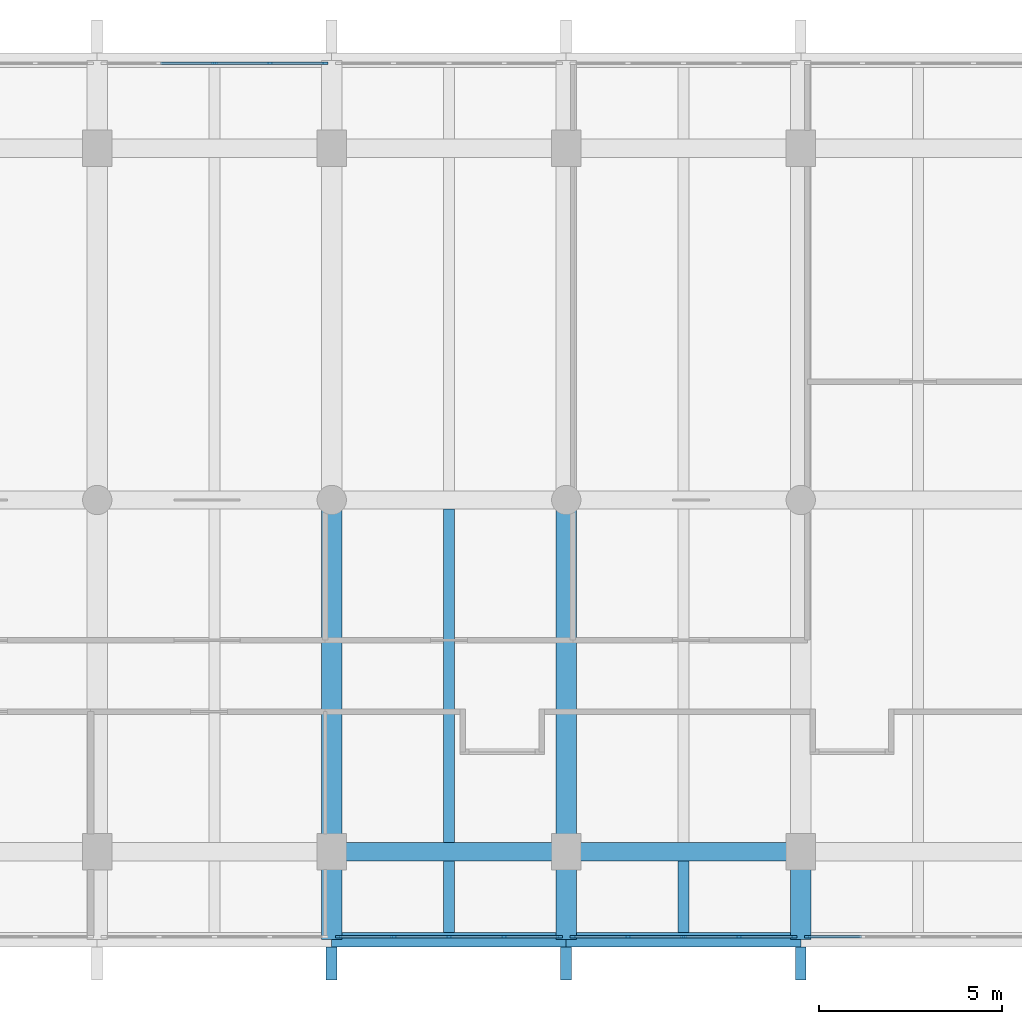
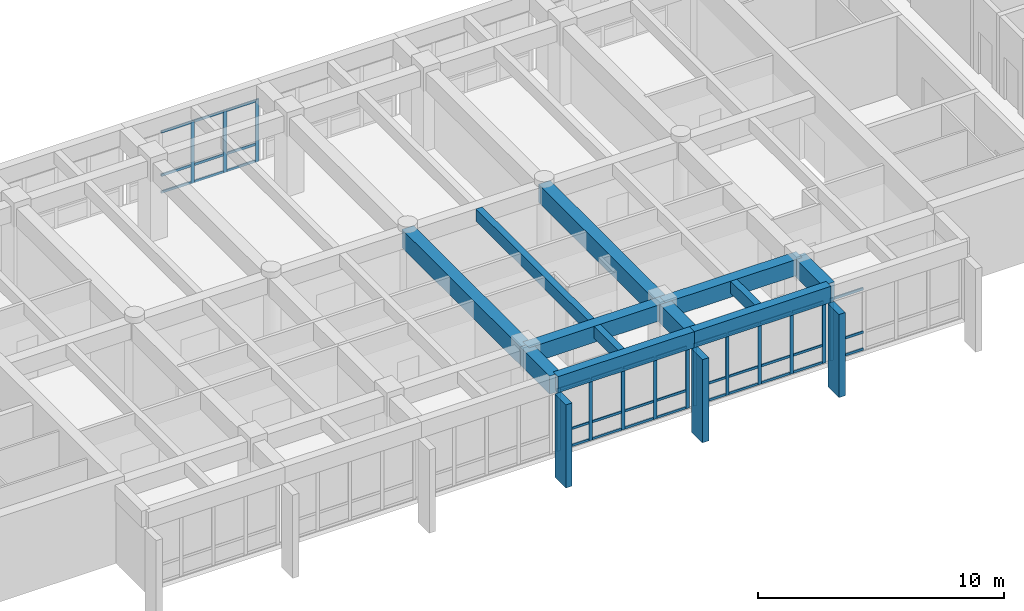
# One storey, part 4 of 15: 53 members, 12 beams, 4 elements without a shape of their own.
"""IFC4 building model written with IfcOpenShell, lengths in metres."""

import ifcopenshell
import ifcopenshell.guid

model = None  # the IFC model being written
_history = None  # IfcOwnerHistory: only IFC2X3 demands one
_inside = {}  # id of a spatial element -> (the spatial element, [elements in it])
_under = {}  # id of a project, library or spatial element -> (it, [spatial elements below it])
_declared = {}  # id of a project -> (the project, [libraries it declares])
_typed = {}  # id of a type object -> (the type object, [elements of that type])
_made_of = {}  # id of a material, layer set ... -> (it, [elements and type objects made of it])


def new_model(schema):
    """Start an empty IFC model of exactly this schema.

    Asked for "IFC4X3", IfcOpenShell would pick the latest addendum, in which some entities
    have other attributes; the version numbers below select the first issue.
    IFC2X3 requires an IfcOwnerHistory on every rooted entity: one is made here for all.
    """
    global model, _history
    if schema == "IFC4X3":
        model = ifcopenshell.file(schema_version=(4, 3, 0, 0))
    else:
        model = ifcopenshell.file(schema=schema)
    _inside.clear()
    _under.clear()
    _declared.clear()
    _typed.clear()
    _made_of.clear()
    _history = None
    if model.schema == "IFC2X3":
        org = make("IfcOrganization", Name="unknown")
        user = make(
            "IfcPersonAndOrganization",
            ThePerson=make("IfcPerson", FamilyName="unknown"),
            TheOrganization=org,
        )
        app = make(
            "IfcApplication",
            ApplicationDeveloper=org,
            Version="unknown",
            ApplicationFullName="unknown",
            ApplicationIdentifier="unknown",
        )
        _history = make(
            "IfcOwnerHistory",
            OwningUser=user,
            OwningApplication=app,
            ChangeAction="ADDED",
            CreationDate=0,
        )
    return model


def make(cls, **values):
    """One entity of the class cls with the attributes given. An attribute that is None is left unset."""
    return model.create_entity(
        cls, **{name: value for name, value in values.items() if value is not None}
    )


def rooted(cls, **values):
    """An entity with a GlobalId (a new one), such as an element, a storey or a relation."""
    return make(cls, GlobalId=ifcopenshell.guid.new(), OwnerHistory=_history, **values)


def si_unit(unit_type, name, prefix=None):
    """IfcSIUnit, for example si_unit("LENGTHUNIT", "METRE", prefix="MILLI")."""
    return make("IfcSIUnit", UnitType=unit_type, Prefix=prefix, Name=name)


def assignment(units):
    """IfcUnitAssignment: the units of a project."""
    return None if units is None else make("IfcUnitAssignment", Units=units)


def point(xyz):
    """IfcCartesianPoint."""
    return None if xyz is None else make("IfcCartesianPoint", Coordinates=xyz)


def direction(xyz):
    """IfcDirection."""
    return None if xyz is None else make("IfcDirection", DirectionRatios=xyz)


def frame(location, z_axis=None, x_axis=None):
    """IfcAxis2Placement3D, a coordinate frame: its origin and axes. An axis left out is left unset."""
    return make(
        "IfcAxis2Placement3D",
        Location=point(location),
        Axis=direction(z_axis),
        RefDirection=direction(x_axis),
    )


def frame_2d(location, x_axis=None):
    """IfcAxis2Placement2D, a coordinate frame in the plane: its origin and x axis."""
    return make(
        "IfcAxis2Placement2D", Location=point(location), RefDirection=direction(x_axis)
    )


def origin():
    """The frame at (0, 0, 0) with its axes left unset."""
    return frame((0.0, 0.0, 0.0))


def origin_2d():
    """The frame at (0, 0) in the plane with its x axis left unset."""
    return frame_2d((0.0, 0.0))


def place(relative_to, where):
    """IfcLocalPlacement: puts the frame where relative to a parent placement (None: the world)."""
    return make(
        "IfcLocalPlacement", PlacementRelTo=relative_to, RelativePlacement=where
    )


def context(
    kind, dimensions, precision=None, world=None, true_north=None, identifier=None
):
    """IfcGeometricRepresentationContext, for example the 3D "Model" context."""
    return make(
        "IfcGeometricRepresentationContext",
        ContextIdentifier=identifier,
        ContextType=kind,
        CoordinateSpaceDimension=dimensions,
        Precision=precision,
        WorldCoordinateSystem=world,
        TrueNorth=true_north,
    )


def subcontext(parent, identifier, kind, view, scale=None):
    """IfcGeometricRepresentationSubContext, for example "Body" below "Model"."""
    return make(
        "IfcGeometricRepresentationSubContext",
        ContextIdentifier=identifier,
        ContextType=kind,
        ParentContext=parent,
        TargetScale=scale,
        TargetView=view,
    )


def project(units=None, contexts=None):
    """IfcProject with its units and contexts."""
    return rooted(
        "IfcProject",
        Name="project",
        RepresentationContexts=contexts,
        UnitsInContext=assignment(units),
    )


def spatial(cls, under=None, at=None, **own):
    """A site, building, storey or space (cls), placed at a placement, below another one or the project."""
    s = rooted(cls, ObjectPlacement=at, **own)
    if under is not None:
        _under.setdefault(under.id(), (under, []))[1].append(s)
    return s


def profile(cls, at=None, kind="AREA", **sizes):
    """A parametric profile (cls). Its sizes go by their IFC names, for example OverallWidth=200.0."""
    return make(cls, ProfileType=kind, Position=at, **sizes)


def rectangle(**sizes):
    """IfcRectangleProfileDef."""
    return profile("IfcRectangleProfileDef", **sizes)


def extrude(swept, where, along, depth):
    """IfcExtrudedAreaSolid: the profile swept, set in the frame where, extruded along a direction by depth."""
    return make(
        "IfcExtrudedAreaSolid",
        SweptArea=swept,
        Position=where,
        ExtrudedDirection=direction(along),
        Depth=depth,
    )


def shape(context_of_items, identifier, shape_type, items):
    """IfcShapeRepresentation: the items that make up one representation, for example the "Body"."""
    return make(
        "IfcShapeRepresentation",
        ContextOfItems=context_of_items,
        RepresentationIdentifier=identifier,
        RepresentationType=shape_type,
        Items=items,
    )


def material(Name=None, Category=None):
    """IfcMaterial."""
    return make("IfcMaterial", Name=Name, Category=Category)


def layer(
    of_material, thickness, ventilated=None, Name=None, Category=None, Priority=None
):
    """IfcMaterialLayer: one layer of a wall or slab, of a material (None: an air gap)."""
    return make(
        "IfcMaterialLayer",
        Material=of_material,
        LayerThickness=thickness,
        IsVentilated=ventilated,
        Name=Name,
        Category=Category,
        Priority=Priority,
    )


def layer_set(layers, Name=None):
    """IfcMaterialLayerSet."""
    return make("IfcMaterialLayerSet", MaterialLayers=layers, LayerSetName=Name)


def material_profile(
    of_material, cross_section, Name=None, Category=None, Priority=None
):
    """IfcMaterialProfile: a cross section and its material."""
    return make(
        "IfcMaterialProfile",
        Name=Name,
        Material=of_material,
        Profile=cross_section,
        Priority=Priority,
        Category=Category,
    )


def profile_set(profiles, Name=None, composite=None):
    """IfcMaterialProfileSet."""
    return make(
        "IfcMaterialProfileSet",
        Name=Name,
        MaterialProfiles=profiles,
        CompositeProfile=composite,
    )


def made_of(thing, what):
    """Note that an element or type object is made of a material, layer set ...; save() writes the relation."""
    if what is not None:
        _made_of.setdefault(what.id(), (what, []))[1].append(thing)
    return thing


def type_object(cls, material=None, **own):
    """A type object (cls), such as IfcWallType, which elements share."""
    return made_of(rooted(cls, **own), material)


def element(
    cls,
    number,
    at=None,
    inside=None,
    cuts=None,
    type_object=None,
    material=None,
    context=None,
    identifier="Body",
    shape_type=None,
    held_by="IfcProductDefinitionShape",
    body=None,
    shapes=None,
    **own,
):
    """One element of the class cls, such as IfcWall. Its Tag is "e" and its number.

    at: its placement. inside: the storey or other place that contains it. cuts: it is an
    opening in that element (IfcRelVoidsElement). A single representation is given by context,
    identifier, shape_type and body (its items); several are given by shapes. held_by: the class
    of the entity that holds the representations. save() writes the other relations.
    """
    e = rooted(cls, Tag="e%d" % number, ObjectPlacement=at, **own)
    if body is not None:
        shapes = [shape(context, identifier, shape_type, body)]
    if shapes is not None:
        e.Representation = make(held_by, Representations=shapes)
    if inside is not None:
        _inside.setdefault(inside.id(), (inside, []))[1].append(e)
    if cuts is not None:
        rooted(
            "IfcRelVoidsElement", RelatingBuildingElement=cuts, RelatedOpeningElement=e
        )
    if type_object is not None:
        _typed.setdefault(type_object.id(), (type_object, []))[1].append(e)
    return made_of(e, material)


def aggregate(whole, parts):
    """IfcRelAggregates: a whole, such as a stair, and the parts it consists of."""
    return rooted("IfcRelAggregates", RelatingObject=whole, RelatedObjects=parts)


def save(model, path):
    """Write the relations noted so far, then the file.

    IfcRelAggregates (storeys below a building ...), IfcRelContainedInSpatialStructure (elements
    in a storey), IfcRelDefinesByType, IfcRelAssociatesMaterial and IfcRelDeclares: one each for
    every whole, place, type object, material and project.
    """
    for whole, parts in _under.values():
        aggregate(whole, parts)
    for where, things in _inside.values():
        rooted(
            "IfcRelContainedInSpatialStructure",
            RelatedElements=things,
            RelatingStructure=where,
        )
    for kind, things in _typed.values():
        rooted("IfcRelDefinesByType", RelatedObjects=things, RelatingType=kind)
    for what, things in _made_of.values():
        rooted("IfcRelAssociatesMaterial", RelatedObjects=things, RelatingMaterial=what)
    for by, libraries in _declared.values():
        rooted("IfcRelDeclares", RelatingContext=by, RelatedDefinitions=libraries)
    model.write(path)


model = new_model("IFC4")

# Units and contexts
model_context = context("Model", 3, precision=1e-05, world=origin(), true_north=direction((0.0, 1.0)))
body_context = subcontext(model_context, "Body", "Model", "MODEL_VIEW")
ifc_project = project(units=[si_unit("LENGTHUNIT", "METRE"), si_unit("AREAUNIT", "SQUARE_METRE"), si_unit("VOLUMEUNIT", "CUBIC_METRE"), si_unit("PLANEANGLEUNIT", "RADIAN"), si_unit("MASSUNIT", "GRAM", prefix="KILO")], contexts=[model_context])

# Site, building, storey
site_placement = place(None, origin())
site = spatial("IfcSite", under=ifc_project, at=site_placement, CompositionType="ELEMENT")
building_placement = place(site_placement, origin())
building = spatial("IfcBuilding", under=site, at=building_placement, Name="Fogon Plaza Fire Station and Headquarters Tower", CompositionType="ELEMENT")
storey_placement = place(building_placement, frame((0.0, 0.0, 60.0)))
storey = spatial("IfcBuildingStorey", under=building, at=storey_placement, Name="L15", CompositionType="ELEMENT", Elevation=60.0)

# Beams
ifc_material_1 = material(Name="Concrete C40", Category="concrete")
ifc_material_profile_1 = material_profile(ifc_material_1, rectangle(XDim=0.39990234375, YDim=0.800048828125, at=origin_2d()), Name="RC 400x800")
ifc_profile_set_1 = profile_set([ifc_material_profile_1], Name="Concrete C40")
beam_type_1 = type_object("IfcBeamType", Name="BEAM RC 400x800", PredefinedType="BEAM", material=ifc_profile_set_1)
beam_1_placement = place(storey_placement, frame((44.800048828125, 31.199951171875, 3.5), z_axis=(1.0, 0.0, 0.0), x_axis=(0.0, 1.0, 0.0)))
element("IfcBeam", 1, at=beam_1_placement, inside=storey, type_object=beam_type_1, Name="beam-L15-042", PredefinedType="BEAM", context=body_context, shape_type="SweptSolid", body=[
    extrude(rectangle(XDim=0.39990234375, YDim=0.800048828125, at=origin_2d()), origin(), (0.0, 0.0, 1.0), 6.39990234375),
])
beam_2_placement = place(storey_placement, frame((51.199951171875, 31.199951171875, 3.5), z_axis=(1.0, 0.0, 0.0), x_axis=(0.0, 1.0, 0.0)))
element("IfcBeam", 2, at=beam_2_placement, inside=storey, type_object=beam_type_1, Name="beam-L15-043", PredefinedType="BEAM", context=body_context, shape_type="SweptSolid", body=[
    extrude(rectangle(XDim=0.39990234375, YDim=0.800048828125, at=origin_2d()), origin(), (0.0, 0.0, 1.0), 6.400146484375),
])
ifc_material_2 = material(Name="Concrete C40", Category="concrete")
ifc_material_profile_2 = material_profile(ifc_material_2, rectangle(XDim=0.5, YDim=0.800048828125, at=origin_2d()), Name="RC 500x800")
ifc_profile_set_2 = profile_set([ifc_material_profile_2], Name="Concrete C40")
beam_type_2 = type_object("IfcBeamType", Name="BEAM RC 500x800 SPAN 4.8 TO 7.7 M", PredefinedType="BEAM", material=ifc_profile_set_2)
beam_3_placement = place(storey_placement, frame((44.800048828125, 33.60009765625, 3.5), z_axis=(1.0, 0.0, 0.0), x_axis=(0.0, 1.0, 0.0)))
element("IfcBeam", 3, at=beam_3_placement, inside=storey, type_object=beam_type_2, Name="beam-L15-024", PredefinedType="BEAM", context=body_context, shape_type="SweptSolid", body=[
    extrude(rectangle(XDim=0.5, YDim=0.800048828125, at=origin_2d()), origin(), (0.0, 0.0, 1.0), 6.39990234375),
])
beam_4_placement = place(storey_placement, frame((51.199951171875, 33.60009765625, 3.5), z_axis=(1.0, 0.0, 0.0), x_axis=(0.0, 1.0, 0.0)))
element("IfcBeam", 4, at=beam_4_placement, inside=storey, type_object=beam_type_2, Name="beam-L15-025", PredefinedType="BEAM", context=body_context, shape_type="SweptSolid", body=[
    extrude(rectangle(XDim=0.5, YDim=0.800048828125, at=origin_2d()), origin(), (0.0, 0.0, 1.0), 6.400146484375),
])
ifc_material_3 = material(Name="Concrete C40", Category="concrete")
ifc_material_profile_3 = material_profile(ifc_material_3, rectangle(XDim=0.550048828125, YDim=0.89990234375, at=origin_2d()), Name="RC 550x900")
ifc_profile_set_3 = profile_set([ifc_material_profile_3], Name="Concrete C40")
beam_type_3 = type_object("IfcBeamType", Name="BEAM RC 550x900", PredefinedType="BEAM", material=ifc_profile_set_3)
for number, where, z_axis, x_axis, name in (
    (5, (44.800048828125, 33.60009765625, 3.449951171875), (0.0, 1.0, 0.0), (-1.0, 0.0, 0.0), "beam-L15-010"),
    (6, (51.199951171875, 33.60009765625, 3.449951171875), (0.0, 1.0, 0.0), (-1.0, 0.0, 0.0), "beam-L15-014"),
):
    element("IfcBeam", number, at=place(storey_placement, frame(where, z_axis=z_axis, x_axis=x_axis)), inside=storey, type_object=beam_type_3, Name=name, PredefinedType="BEAM", context=body_context, shape_type="SweptSolid", body=[
        extrude(rectangle(XDim=0.550048828125, YDim=0.89990234375, at=origin_2d()), origin(), (0.0, 0.0, 1.0), 9.599853515625),
    ])
ifc_material_4 = material(Name="Concrete C40", Category="concrete")
ifc_material_profile_4 = material_profile(ifc_material_4, rectangle(XDim=0.550048828125, YDim=0.89990234375, at=origin_2d()), Name="RC 550x900")
ifc_profile_set_4 = profile_set([ifc_material_profile_4], Name="Concrete C40")
beam_type_4 = type_object("IfcBeamType", Name="BEAM RC 550x900 SPAN 0.0 TO 3.0 M", PredefinedType="BEAM", material=ifc_profile_set_4)
for number, where, z_axis, x_axis, name in (
    (7, (44.800048828125, 31.199951171875, 3.449951171875), (0.0, 1.0, 0.0), (-1.0, 0.0, 0.0), "beam-L15-009"),
    (8, (51.199951171875, 31.199951171875, 3.449951171875), (0.0, 1.0, 0.0), (-1.0, 0.0, 0.0), "beam-L15-013"),
    (9, (57.60009765625, 31.199951171875, 3.449951171875), (0.0, 1.0, 0.0), (-1.0, 0.0, 0.0), "beam-L15-017"),
):
    element("IfcBeam", number, at=place(storey_placement, frame(where, z_axis=z_axis, x_axis=x_axis)), inside=storey, type_object=beam_type_4, Name=name, PredefinedType="BEAM", context=body_context, shape_type="SweptSolid", body=[
        extrude(rectangle(XDim=0.550048828125, YDim=0.89990234375, at=origin_2d()), origin(), (0.0, 0.0, 1.0), 2.400146484375),
    ])

# Curtain wall, members
ifc_material_5 = material(Name="Aluminium and glass", Category="aluminium")
ifc_layer = layer(ifc_material_5, 0.14990234375)
ifc_layer_set = layer_set([ifc_layer], Name="Aluminium and glass")
curtain_wall_type = type_object("IfcCurtainWallType", Name="Unitised Curtain Wall Run 6100x3100", PredefinedType="NOTDEFINED", material=ifc_layer_set)
curtain_wall_1_placement = place(storey_placement, origin())
curtain_wall_1 = element("IfcCurtainWall", 10, at=curtain_wall_1_placement, inside=storey, type_object=curtain_wall_type, Name="CW-6100x3100 S4 L15", PredefinedType="NOTDEFINED")
ifc_material_6 = material(Name="Aluminium", Category="aluminium")
ifc_material_profile_5 = material_profile(ifc_material_6, rectangle(XDim=0.06005859375, YDim=0.159912109375, at=origin_2d()), Name="Curtain Wall Mullion 60x160")
ifc_profile_set_5 = profile_set([ifc_material_profile_5], Name="Aluminium")
member_type_1 = type_object("IfcMemberType", Name="Curtain Wall Mullion 60x160", PredefinedType="MULLION", material=ifc_profile_set_5)
member_1_placement = place(storey_placement, frame((44.97998046875, 31.280029296875, 0.0), z_axis=(0.0, 0.0, 1.0), x_axis=(0.0, 1.0, 0.0)))
member_1 = element("IfcMember", 11, at=member_1_placement, type_object=member_type_1, Name="CW-6100x3100 mullion 1", PredefinedType="MULLION", context=body_context, shape_type="SweptSolid", body=[
    extrude(rectangle(XDim=0.06005859375, YDim=0.159912109375, at=origin_2d()), origin(), (0.0, 0.0, 1.0), 3.10009765625),
])
member_2_placement = place(storey_placement, frame((46.489990234375, 31.280029296875, 0.0), z_axis=(0.0, 0.0, 1.0), x_axis=(0.0, 1.0, 0.0)))
member_2 = element("IfcMember", 12, at=member_2_placement, type_object=member_type_1, Name="CW-6100x3100 mullion 2", PredefinedType="MULLION", context=body_context, shape_type="SweptSolid", body=[
    extrude(rectangle(XDim=0.06005859375, YDim=0.159912109375, at=origin_2d()), origin(), (0.0, 0.0, 1.0), 3.10009765625),
])
member_3_placement = place(storey_placement, frame((48.0, 31.280029296875, 0.0), z_axis=(0.0, 0.0, 1.0), x_axis=(0.0, 1.0, 0.0)))
member_3 = element("IfcMember", 13, at=member_3_placement, type_object=member_type_1, Name="CW-6100x3100 mullion 3", PredefinedType="MULLION", context=body_context, shape_type="SweptSolid", body=[
    extrude(rectangle(XDim=0.06005859375, YDim=0.159912109375, at=origin_2d()), origin(), (0.0, 0.0, 1.0), 3.10009765625),
])
member_4_placement = place(storey_placement, frame((49.510009765625, 31.280029296875, 0.0), z_axis=(0.0, 0.0, 1.0), x_axis=(0.0, 1.0, 0.0)))
member_4 = element("IfcMember", 14, at=member_4_placement, type_object=member_type_1, Name="CW-6100x3100 mullion 4", PredefinedType="MULLION", context=body_context, shape_type="SweptSolid", body=[
    extrude(rectangle(XDim=0.06005859375, YDim=0.159912109375, at=origin_2d()), origin(), (0.0, 0.0, 1.0), 3.10009765625),
])
member_5_placement = place(storey_placement, frame((51.02001953125, 31.280029296875, 0.0), z_axis=(0.0, 0.0, 1.0), x_axis=(0.0, 1.0, 0.0)))
member_5 = element("IfcMember", 15, at=member_5_placement, type_object=member_type_1, Name="CW-6100x3100 mullion 5", PredefinedType="MULLION", context=body_context, shape_type="SweptSolid", body=[
    extrude(rectangle(XDim=0.06005859375, YDim=0.159912109375, at=origin_2d()), origin(), (0.0, 0.0, 1.0), 3.10009765625),
])

curtain_wall_2_placement = place(storey_placement, origin())
curtain_wall_2 = element("IfcCurtainWall", 16, at=curtain_wall_2_placement, inside=storey, type_object=curtain_wall_type, Name="CW-6100x3100 S5 L15", PredefinedType="NOTDEFINED")
member_6_placement = place(storey_placement, frame((51.3798828125, 31.280029296875, 0.0), z_axis=(0.0, 0.0, 1.0), x_axis=(0.0, 1.0, 0.0)))
member_6 = element("IfcMember", 17, at=member_6_placement, type_object=member_type_1, Name="CW-6100x3100 mullion 1", PredefinedType="MULLION", context=body_context, shape_type="SweptSolid", body=[
    extrude(rectangle(XDim=0.06005859375, YDim=0.159912109375, at=origin_2d()), origin(), (0.0, 0.0, 1.0), 3.10009765625),
])
member_7_placement = place(storey_placement, frame((52.889892578125, 31.280029296875, 0.0), z_axis=(0.0, 0.0, 1.0), x_axis=(0.0, 1.0, 0.0)))
member_7 = element("IfcMember", 18, at=member_7_placement, type_object=member_type_1, Name="CW-6100x3100 mullion 2", PredefinedType="MULLION", context=body_context, shape_type="SweptSolid", body=[
    extrude(rectangle(XDim=0.06005859375, YDim=0.159912109375, at=origin_2d()), origin(), (0.0, 0.0, 1.0), 3.10009765625),
])
member_8_placement = place(storey_placement, frame((54.39990234375, 31.280029296875, 0.0), z_axis=(0.0, 0.0, 1.0), x_axis=(0.0, 1.0, 0.0)))
member_8 = element("IfcMember", 19, at=member_8_placement, type_object=member_type_1, Name="CW-6100x3100 mullion 3", PredefinedType="MULLION", context=body_context, shape_type="SweptSolid", body=[
    extrude(rectangle(XDim=0.06005859375, YDim=0.159912109375, at=origin_2d()), origin(), (0.0, 0.0, 1.0), 3.10009765625),
])
member_9_placement = place(storey_placement, frame((55.909912109375, 31.280029296875, 0.0), z_axis=(0.0, 0.0, 1.0), x_axis=(0.0, 1.0, 0.0)))
member_9 = element("IfcMember", 20, at=member_9_placement, type_object=member_type_1, Name="CW-6100x3100 mullion 4", PredefinedType="MULLION", context=body_context, shape_type="SweptSolid", body=[
    extrude(rectangle(XDim=0.06005859375, YDim=0.159912109375, at=origin_2d()), origin(), (0.0, 0.0, 1.0), 3.10009765625),
])
member_10_placement = place(storey_placement, frame((57.419921875, 31.280029296875, 0.0), z_axis=(0.0, 0.0, 1.0), x_axis=(0.0, 1.0, 0.0)))
member_10 = element("IfcMember", 21, at=member_10_placement, type_object=member_type_1, Name="CW-6100x3100 mullion 5", PredefinedType="MULLION", context=body_context, shape_type="SweptSolid", body=[
    extrude(rectangle(XDim=0.06005859375, YDim=0.159912109375, at=origin_2d()), origin(), (0.0, 0.0, 1.0), 3.10009765625),
])

# Curtain wall, member
curtain_wall_3_placement = place(storey_placement, origin())
curtain_wall_3 = element("IfcCurtainWall", 22, at=curtain_wall_3_placement, inside=storey, type_object=curtain_wall_type, Name="CW-6100x3100 S6 L15", PredefinedType="NOTDEFINED")
member_11_placement = place(storey_placement, frame((57.780029296875, 31.280029296875, 0.0), z_axis=(0.0, 0.0, 1.0), x_axis=(0.0, 1.0, 0.0)))
member_11 = element("IfcMember", 23, at=member_11_placement, type_object=member_type_1, Name="CW-6100x3100 mullion 1", PredefinedType="MULLION", context=body_context, shape_type="SweptSolid", body=[
    extrude(rectangle(XDim=0.06005859375, YDim=0.159912109375, at=origin_2d()), origin(), (0.0, 0.0, 1.0), 3.10009765625),
])

# Curtain wall, members
curtain_wall_4_placement = place(storey_placement, origin())
curtain_wall_4 = element("IfcCurtainWall", 24, at=curtain_wall_4_placement, inside=storey, type_object=curtain_wall_type, Name="CW-6100x3100 N3 L15", PredefinedType="NOTDEFINED")
member_12_placement = place(storey_placement, frame((41.60009765625, 55.1201171875, 0.0), z_axis=(0.0, 0.0, 1.0), x_axis=(0.0, 1.0, 0.0)))
member_12 = element("IfcMember", 25, at=member_12_placement, type_object=member_type_1, Name="CW-6100x3100 mullion 3", PredefinedType="MULLION", context=body_context, shape_type="SweptSolid", body=[
    extrude(rectangle(XDim=0.06005859375, YDim=0.159912109375, at=origin_2d()), origin(), (0.0, 0.0, 1.0), 3.10009765625),
])
member_13_placement = place(storey_placement, frame((43.110107421875, 55.1201171875, 0.0), z_axis=(0.0, 0.0, 1.0), x_axis=(0.0, 1.0, 0.0)))
member_13 = element("IfcMember", 26, at=member_13_placement, type_object=member_type_1, Name="CW-6100x3100 mullion 4", PredefinedType="MULLION", context=body_context, shape_type="SweptSolid", body=[
    extrude(rectangle(XDim=0.06005859375, YDim=0.159912109375, at=origin_2d()), origin(), (0.0, 0.0, 1.0), 3.10009765625),
])
member_14_placement = place(storey_placement, frame((44.6201171875, 55.1201171875, 0.0), z_axis=(0.0, 0.0, 1.0), x_axis=(0.0, 1.0, 0.0)))
member_14 = element("IfcMember", 27, at=member_14_placement, type_object=member_type_1, Name="CW-6100x3100 mullion 5", PredefinedType="MULLION", context=body_context, shape_type="SweptSolid", body=[
    extrude(rectangle(XDim=0.06005859375, YDim=0.159912109375, at=origin_2d()), origin(), (0.0, 0.0, 1.0), 3.10009765625),
])

# Member
ifc_material_7 = material(Name="Aluminium", Category="aluminium")
ifc_material_profile_6 = material_profile(ifc_material_7, rectangle(XDim=0.06005859375, YDim=0.1201171875, at=origin_2d()), Name="Curtain Wall Transom 60x120")
ifc_profile_set_6 = profile_set([ifc_material_profile_6], Name="Aluminium")
member_type_2 = type_object("IfcMemberType", Name="Curtain Wall Transom 60x120", PredefinedType="USERDEFINED", material=ifc_profile_set_6)
member_15_placement = place(storey_placement, frame((45.010009765625, 31.280029296875, 0.06005859375), z_axis=(1.0, 0.0, 0.0), x_axis=(0.0, 1.0, 0.0)))
member_15 = element("IfcMember", 28, at=member_15_placement, type_object=member_type_2, Name="CW-6100x3100 transom 1.1", ObjectType="TRANSOM", PredefinedType="USERDEFINED", context=body_context, shape_type="SweptSolid", body=[
    extrude(rectangle(XDim=0.06005859375, YDim=0.1201171875, at=origin_2d()), origin(), (0.0, 0.0, 1.0), 1.449951171875),
])

member_16_placement = place(storey_placement, frame((45.010009765625, 31.280029296875, 0.89990234375), z_axis=(1.0, 0.0, 0.0), x_axis=(0.0, 1.0, 0.0)))
member_16 = element("IfcMember", 29, at=member_16_placement, type_object=member_type_2, Name="CW-6100x3100 transom 1.2", ObjectType="TRANSOM", PredefinedType="USERDEFINED", context=body_context, shape_type="SweptSolid", body=[
    extrude(rectangle(XDim=0.06005859375, YDim=0.1201171875, at=origin_2d()), origin(), (0.0, 0.0, 1.0), 1.449951171875),
])

member_17_placement = place(storey_placement, frame((45.010009765625, 31.280029296875, 3.0400390625), z_axis=(1.0, 0.0, 0.0), x_axis=(0.0, 1.0, 0.0)))
member_17 = element("IfcMember", 30, at=member_17_placement, type_object=member_type_2, Name="CW-6100x3100 transom 1.3", ObjectType="TRANSOM", PredefinedType="USERDEFINED", context=body_context, shape_type="SweptSolid", body=[
    extrude(rectangle(XDim=0.06005859375, YDim=0.1201171875, at=origin_2d()), origin(), (0.0, 0.0, 1.0), 1.449951171875),
])

member_18_placement = place(storey_placement, frame((46.52001953125, 31.280029296875, 0.06005859375), z_axis=(1.0, 0.0, 0.0), x_axis=(0.0, 1.0, 0.0)))
member_18 = element("IfcMember", 31, at=member_18_placement, type_object=member_type_2, Name="CW-6100x3100 transom 2.1", ObjectType="TRANSOM", PredefinedType="USERDEFINED", context=body_context, shape_type="SweptSolid", body=[
    extrude(rectangle(XDim=0.06005859375, YDim=0.1201171875, at=origin_2d()), origin(), (0.0, 0.0, 1.0), 1.449951171875),
])

member_19_placement = place(storey_placement, frame((46.52001953125, 31.280029296875, 0.89990234375), z_axis=(1.0, 0.0, 0.0), x_axis=(0.0, 1.0, 0.0)))
member_19 = element("IfcMember", 32, at=member_19_placement, type_object=member_type_2, Name="CW-6100x3100 transom 2.2", ObjectType="TRANSOM", PredefinedType="USERDEFINED", context=body_context, shape_type="SweptSolid", body=[
    extrude(rectangle(XDim=0.06005859375, YDim=0.1201171875, at=origin_2d()), origin(), (0.0, 0.0, 1.0), 1.449951171875),
])

member_20_placement = place(storey_placement, frame((46.52001953125, 31.280029296875, 3.0400390625), z_axis=(1.0, 0.0, 0.0), x_axis=(0.0, 1.0, 0.0)))
member_20 = element("IfcMember", 33, at=member_20_placement, type_object=member_type_2, Name="CW-6100x3100 transom 2.3", ObjectType="TRANSOM", PredefinedType="USERDEFINED", context=body_context, shape_type="SweptSolid", body=[
    extrude(rectangle(XDim=0.06005859375, YDim=0.1201171875, at=origin_2d()), origin(), (0.0, 0.0, 1.0), 1.449951171875),
])

member_21_placement = place(storey_placement, frame((48.030029296875, 31.280029296875, 0.06005859375), z_axis=(1.0, 0.0, 0.0), x_axis=(0.0, 1.0, 0.0)))
member_21 = element("IfcMember", 34, at=member_21_placement, type_object=member_type_2, Name="CW-6100x3100 transom 3.1", ObjectType="TRANSOM", PredefinedType="USERDEFINED", context=body_context, shape_type="SweptSolid", body=[
    extrude(rectangle(XDim=0.06005859375, YDim=0.1201171875, at=origin_2d()), origin(), (0.0, 0.0, 1.0), 1.449951171875),
])

member_22_placement = place(storey_placement, frame((48.030029296875, 31.280029296875, 0.89990234375), z_axis=(1.0, 0.0, 0.0), x_axis=(0.0, 1.0, 0.0)))
member_22 = element("IfcMember", 35, at=member_22_placement, type_object=member_type_2, Name="CW-6100x3100 transom 3.2", ObjectType="TRANSOM", PredefinedType="USERDEFINED", context=body_context, shape_type="SweptSolid", body=[
    extrude(rectangle(XDim=0.06005859375, YDim=0.1201171875, at=origin_2d()), origin(), (0.0, 0.0, 1.0), 1.449951171875),
])

member_23_placement = place(storey_placement, frame((48.030029296875, 31.280029296875, 3.0400390625), z_axis=(1.0, 0.0, 0.0), x_axis=(0.0, 1.0, 0.0)))
member_23 = element("IfcMember", 36, at=member_23_placement, type_object=member_type_2, Name="CW-6100x3100 transom 3.3", ObjectType="TRANSOM", PredefinedType="USERDEFINED", context=body_context, shape_type="SweptSolid", body=[
    extrude(rectangle(XDim=0.06005859375, YDim=0.1201171875, at=origin_2d()), origin(), (0.0, 0.0, 1.0), 1.449951171875),
])

member_24_placement = place(storey_placement, frame((49.5400390625, 31.280029296875, 0.06005859375), z_axis=(1.0, 0.0, 0.0), x_axis=(0.0, 1.0, 0.0)))
member_24 = element("IfcMember", 37, at=member_24_placement, type_object=member_type_2, Name="CW-6100x3100 transom 4.1", ObjectType="TRANSOM", PredefinedType="USERDEFINED", context=body_context, shape_type="SweptSolid", body=[
    extrude(rectangle(XDim=0.06005859375, YDim=0.1201171875, at=origin_2d()), origin(), (0.0, 0.0, 1.0), 1.449951171875),
])

member_25_placement = place(storey_placement, frame((49.5400390625, 31.280029296875, 0.89990234375), z_axis=(1.0, 0.0, 0.0), x_axis=(0.0, 1.0, 0.0)))
member_25 = element("IfcMember", 38, at=member_25_placement, type_object=member_type_2, Name="CW-6100x3100 transom 4.2", ObjectType="TRANSOM", PredefinedType="USERDEFINED", context=body_context, shape_type="SweptSolid", body=[
    extrude(rectangle(XDim=0.06005859375, YDim=0.1201171875, at=origin_2d()), origin(), (0.0, 0.0, 1.0), 1.449951171875),
])

member_26_placement = place(storey_placement, frame((49.5400390625, 31.280029296875, 3.0400390625), z_axis=(1.0, 0.0, 0.0), x_axis=(0.0, 1.0, 0.0)))
member_26 = element("IfcMember", 39, at=member_26_placement, type_object=member_type_2, Name="CW-6100x3100 transom 4.3", ObjectType="TRANSOM", PredefinedType="USERDEFINED", context=body_context, shape_type="SweptSolid", body=[
    extrude(rectangle(XDim=0.06005859375, YDim=0.1201171875, at=origin_2d()), origin(), (0.0, 0.0, 1.0), 1.449951171875),
])

aggregate(curtain_wall_1, [member_1, member_2, member_3, member_4, member_5, member_15, member_16, member_17, member_18, member_19, member_20, member_21, member_22, member_23, member_24, member_25, member_26])

member_27_placement = place(storey_placement, frame((51.409912109375, 31.280029296875, 0.06005859375), z_axis=(1.0, 0.0, 0.0), x_axis=(0.0, 1.0, 0.0)))
member_27 = element("IfcMember", 40, at=member_27_placement, type_object=member_type_2, Name="CW-6100x3100 transom 1.1", ObjectType="TRANSOM", PredefinedType="USERDEFINED", context=body_context, shape_type="SweptSolid", body=[
    extrude(rectangle(XDim=0.06005859375, YDim=0.1201171875, at=origin_2d()), origin(), (0.0, 0.0, 1.0), 1.4501953125),
])

member_28_placement = place(storey_placement, frame((51.409912109375, 31.280029296875, 0.89990234375), z_axis=(1.0, 0.0, 0.0), x_axis=(0.0, 1.0, 0.0)))
member_28 = element("IfcMember", 41, at=member_28_placement, type_object=member_type_2, Name="CW-6100x3100 transom 1.2", ObjectType="TRANSOM", PredefinedType="USERDEFINED", context=body_context, shape_type="SweptSolid", body=[
    extrude(rectangle(XDim=0.06005859375, YDim=0.1201171875, at=origin_2d()), origin(), (0.0, 0.0, 1.0), 1.4501953125),
])

member_29_placement = place(storey_placement, frame((51.409912109375, 31.280029296875, 3.0400390625), z_axis=(1.0, 0.0, 0.0), x_axis=(0.0, 1.0, 0.0)))
member_29 = element("IfcMember", 42, at=member_29_placement, type_object=member_type_2, Name="CW-6100x3100 transom 1.3", ObjectType="TRANSOM", PredefinedType="USERDEFINED", context=body_context, shape_type="SweptSolid", body=[
    extrude(rectangle(XDim=0.06005859375, YDim=0.1201171875, at=origin_2d()), origin(), (0.0, 0.0, 1.0), 1.4501953125),
])

member_30_placement = place(storey_placement, frame((52.919921875, 31.280029296875, 0.06005859375), z_axis=(1.0, 0.0, 0.0), x_axis=(0.0, 1.0, 0.0)))
member_30 = element("IfcMember", 43, at=member_30_placement, type_object=member_type_2, Name="CW-6100x3100 transom 2.1", ObjectType="TRANSOM", PredefinedType="USERDEFINED", context=body_context, shape_type="SweptSolid", body=[
    extrude(rectangle(XDim=0.06005859375, YDim=0.1201171875, at=origin_2d()), origin(), (0.0, 0.0, 1.0), 1.4501953125),
])

member_31_placement = place(storey_placement, frame((52.919921875, 31.280029296875, 0.89990234375), z_axis=(1.0, 0.0, 0.0), x_axis=(0.0, 1.0, 0.0)))
member_31 = element("IfcMember", 44, at=member_31_placement, type_object=member_type_2, Name="CW-6100x3100 transom 2.2", ObjectType="TRANSOM", PredefinedType="USERDEFINED", context=body_context, shape_type="SweptSolid", body=[
    extrude(rectangle(XDim=0.06005859375, YDim=0.1201171875, at=origin_2d()), origin(), (0.0, 0.0, 1.0), 1.4501953125),
])

member_32_placement = place(storey_placement, frame((52.919921875, 31.280029296875, 3.0400390625), z_axis=(1.0, 0.0, 0.0), x_axis=(0.0, 1.0, 0.0)))
member_32 = element("IfcMember", 45, at=member_32_placement, type_object=member_type_2, Name="CW-6100x3100 transom 2.3", ObjectType="TRANSOM", PredefinedType="USERDEFINED", context=body_context, shape_type="SweptSolid", body=[
    extrude(rectangle(XDim=0.06005859375, YDim=0.1201171875, at=origin_2d()), origin(), (0.0, 0.0, 1.0), 1.4501953125),
])

member_33_placement = place(storey_placement, frame((54.429931640625, 31.280029296875, 0.06005859375), z_axis=(1.0, 0.0, 0.0), x_axis=(0.0, 1.0, 0.0)))
member_33 = element("IfcMember", 46, at=member_33_placement, type_object=member_type_2, Name="CW-6100x3100 transom 3.1", ObjectType="TRANSOM", PredefinedType="USERDEFINED", context=body_context, shape_type="SweptSolid", body=[
    extrude(rectangle(XDim=0.06005859375, YDim=0.1201171875, at=origin_2d()), origin(), (0.0, 0.0, 1.0), 1.449951171875),
])

member_34_placement = place(storey_placement, frame((54.429931640625, 31.280029296875, 0.89990234375), z_axis=(1.0, 0.0, 0.0), x_axis=(0.0, 1.0, 0.0)))
member_34 = element("IfcMember", 47, at=member_34_placement, type_object=member_type_2, Name="CW-6100x3100 transom 3.2", ObjectType="TRANSOM", PredefinedType="USERDEFINED", context=body_context, shape_type="SweptSolid", body=[
    extrude(rectangle(XDim=0.06005859375, YDim=0.1201171875, at=origin_2d()), origin(), (0.0, 0.0, 1.0), 1.449951171875),
])

member_35_placement = place(storey_placement, frame((54.429931640625, 31.280029296875, 3.0400390625), z_axis=(1.0, 0.0, 0.0), x_axis=(0.0, 1.0, 0.0)))
member_35 = element("IfcMember", 48, at=member_35_placement, type_object=member_type_2, Name="CW-6100x3100 transom 3.3", ObjectType="TRANSOM", PredefinedType="USERDEFINED", context=body_context, shape_type="SweptSolid", body=[
    extrude(rectangle(XDim=0.06005859375, YDim=0.1201171875, at=origin_2d()), origin(), (0.0, 0.0, 1.0), 1.449951171875),
])

member_36_placement = place(storey_placement, frame((55.93994140625, 31.280029296875, 0.06005859375), z_axis=(1.0, 0.0, 0.0), x_axis=(0.0, 1.0, 0.0)))
member_36 = element("IfcMember", 49, at=member_36_placement, type_object=member_type_2, Name="CW-6100x3100 transom 4.1", ObjectType="TRANSOM", PredefinedType="USERDEFINED", context=body_context, shape_type="SweptSolid", body=[
    extrude(rectangle(XDim=0.06005859375, YDim=0.1201171875, at=origin_2d()), origin(), (0.0, 0.0, 1.0), 1.449951171875),
])

member_37_placement = place(storey_placement, frame((55.93994140625, 31.280029296875, 0.89990234375), z_axis=(1.0, 0.0, 0.0), x_axis=(0.0, 1.0, 0.0)))
member_37 = element("IfcMember", 50, at=member_37_placement, type_object=member_type_2, Name="CW-6100x3100 transom 4.2", ObjectType="TRANSOM", PredefinedType="USERDEFINED", context=body_context, shape_type="SweptSolid", body=[
    extrude(rectangle(XDim=0.06005859375, YDim=0.1201171875, at=origin_2d()), origin(), (0.0, 0.0, 1.0), 1.449951171875),
])

member_38_placement = place(storey_placement, frame((55.93994140625, 31.280029296875, 3.0400390625), z_axis=(1.0, 0.0, 0.0), x_axis=(0.0, 1.0, 0.0)))
member_38 = element("IfcMember", 51, at=member_38_placement, type_object=member_type_2, Name="CW-6100x3100 transom 4.3", ObjectType="TRANSOM", PredefinedType="USERDEFINED", context=body_context, shape_type="SweptSolid", body=[
    extrude(rectangle(XDim=0.06005859375, YDim=0.1201171875, at=origin_2d()), origin(), (0.0, 0.0, 1.0), 1.449951171875),
])

aggregate(curtain_wall_2, [member_6, member_7, member_8, member_9, member_10, member_27, member_28, member_29, member_30, member_31, member_32, member_33, member_34, member_35, member_36, member_37, member_38])

member_39_placement = place(storey_placement, frame((57.81005859375, 31.280029296875, 0.06005859375), z_axis=(1.0, 0.0, 0.0), x_axis=(0.0, 1.0, 0.0)))
member_39 = element("IfcMember", 52, at=member_39_placement, type_object=member_type_2, Name="CW-6100x3100 transom 1.1", ObjectType="TRANSOM", PredefinedType="USERDEFINED", context=body_context, shape_type="SweptSolid", body=[
    extrude(rectangle(XDim=0.06005859375, YDim=0.1201171875, at=origin_2d()), origin(), (0.0, 0.0, 1.0), 1.449951171875),
])

member_40_placement = place(storey_placement, frame((57.81005859375, 31.280029296875, 0.89990234375), z_axis=(1.0, 0.0, 0.0), x_axis=(0.0, 1.0, 0.0)))
member_40 = element("IfcMember", 53, at=member_40_placement, type_object=member_type_2, Name="CW-6100x3100 transom 1.2", ObjectType="TRANSOM", PredefinedType="USERDEFINED", context=body_context, shape_type="SweptSolid", body=[
    extrude(rectangle(XDim=0.06005859375, YDim=0.1201171875, at=origin_2d()), origin(), (0.0, 0.0, 1.0), 1.449951171875),
])

member_41_placement = place(storey_placement, frame((57.81005859375, 31.280029296875, 3.0400390625), z_axis=(1.0, 0.0, 0.0), x_axis=(0.0, 1.0, 0.0)))
member_41 = element("IfcMember", 54, at=member_41_placement, type_object=member_type_2, Name="CW-6100x3100 transom 1.3", ObjectType="TRANSOM", PredefinedType="USERDEFINED", context=body_context, shape_type="SweptSolid", body=[
    extrude(rectangle(XDim=0.06005859375, YDim=0.1201171875, at=origin_2d()), origin(), (0.0, 0.0, 1.0), 1.449951171875),
])

aggregate(curtain_wall_3, [member_11, member_39, member_40, member_41])

member_42_placement = place(storey_placement, frame((40.1201171875, 55.1201171875, 0.06005859375), z_axis=(1.0, 0.0, 0.0), x_axis=(0.0, 1.0, 0.0)))
member_42 = element("IfcMember", 55, at=member_42_placement, type_object=member_type_2, Name="CW-6100x3100 transom 2.1", ObjectType="TRANSOM", PredefinedType="USERDEFINED", context=body_context, shape_type="SweptSolid", body=[
    extrude(rectangle(XDim=0.06005859375, YDim=0.1201171875, at=origin_2d()), origin(), (0.0, 0.0, 1.0), 1.449951171875),
])

member_43_placement = place(storey_placement, frame((40.1201171875, 55.1201171875, 0.89990234375), z_axis=(1.0, 0.0, 0.0), x_axis=(0.0, 1.0, 0.0)))
member_43 = element("IfcMember", 56, at=member_43_placement, type_object=member_type_2, Name="CW-6100x3100 transom 2.2", ObjectType="TRANSOM", PredefinedType="USERDEFINED", context=body_context, shape_type="SweptSolid", body=[
    extrude(rectangle(XDim=0.06005859375, YDim=0.1201171875, at=origin_2d()), origin(), (0.0, 0.0, 1.0), 1.449951171875),
])

member_44_placement = place(storey_placement, frame((40.1201171875, 55.1201171875, 3.0400390625), z_axis=(1.0, 0.0, 0.0), x_axis=(0.0, 1.0, 0.0)))
member_44 = element("IfcMember", 57, at=member_44_placement, type_object=member_type_2, Name="CW-6100x3100 transom 2.3", ObjectType="TRANSOM", PredefinedType="USERDEFINED", context=body_context, shape_type="SweptSolid", body=[
    extrude(rectangle(XDim=0.06005859375, YDim=0.1201171875, at=origin_2d()), origin(), (0.0, 0.0, 1.0), 1.449951171875),
])

member_45_placement = place(storey_placement, frame((41.6298828125, 55.1201171875, 0.06005859375), z_axis=(1.0, 0.0, 0.0), x_axis=(0.0, 1.0, 0.0)))
member_45 = element("IfcMember", 58, at=member_45_placement, type_object=member_type_2, Name="CW-6100x3100 transom 3.1", ObjectType="TRANSOM", PredefinedType="USERDEFINED", context=body_context, shape_type="SweptSolid", body=[
    extrude(rectangle(XDim=0.06005859375, YDim=0.1201171875, at=origin_2d()), origin(), (0.0, 0.0, 1.0), 1.4501953125),
])

member_46_placement = place(storey_placement, frame((41.6298828125, 55.1201171875, 0.89990234375), z_axis=(1.0, 0.0, 0.0), x_axis=(0.0, 1.0, 0.0)))
member_46 = element("IfcMember", 59, at=member_46_placement, type_object=member_type_2, Name="CW-6100x3100 transom 3.2", ObjectType="TRANSOM", PredefinedType="USERDEFINED", context=body_context, shape_type="SweptSolid", body=[
    extrude(rectangle(XDim=0.06005859375, YDim=0.1201171875, at=origin_2d()), origin(), (0.0, 0.0, 1.0), 1.4501953125),
])

member_47_placement = place(storey_placement, frame((41.6298828125, 55.1201171875, 3.0400390625), z_axis=(1.0, 0.0, 0.0), x_axis=(0.0, 1.0, 0.0)))
member_47 = element("IfcMember", 60, at=member_47_placement, type_object=member_type_2, Name="CW-6100x3100 transom 3.3", ObjectType="TRANSOM", PredefinedType="USERDEFINED", context=body_context, shape_type="SweptSolid", body=[
    extrude(rectangle(XDim=0.06005859375, YDim=0.1201171875, at=origin_2d()), origin(), (0.0, 0.0, 1.0), 1.4501953125),
])

member_48_placement = place(storey_placement, frame((43.139892578125, 55.1201171875, 0.06005859375), z_axis=(1.0, 0.0, 0.0), x_axis=(0.0, 1.0, 0.0)))
member_48 = element("IfcMember", 61, at=member_48_placement, type_object=member_type_2, Name="CW-6100x3100 transom 4.1", ObjectType="TRANSOM", PredefinedType="USERDEFINED", context=body_context, shape_type="SweptSolid", body=[
    extrude(rectangle(XDim=0.06005859375, YDim=0.1201171875, at=origin_2d()), origin(), (0.0, 0.0, 1.0), 1.4501953125),
])

member_49_placement = place(storey_placement, frame((43.139892578125, 55.1201171875, 0.89990234375), z_axis=(1.0, 0.0, 0.0), x_axis=(0.0, 1.0, 0.0)))
member_49 = element("IfcMember", 62, at=member_49_placement, type_object=member_type_2, Name="CW-6100x3100 transom 4.2", ObjectType="TRANSOM", PredefinedType="USERDEFINED", context=body_context, shape_type="SweptSolid", body=[
    extrude(rectangle(XDim=0.06005859375, YDim=0.1201171875, at=origin_2d()), origin(), (0.0, 0.0, 1.0), 1.4501953125),
])

member_50_placement = place(storey_placement, frame((43.139892578125, 55.1201171875, 3.0400390625), z_axis=(1.0, 0.0, 0.0), x_axis=(0.0, 1.0, 0.0)))
member_50 = element("IfcMember", 63, at=member_50_placement, type_object=member_type_2, Name="CW-6100x3100 transom 4.3", ObjectType="TRANSOM", PredefinedType="USERDEFINED", context=body_context, shape_type="SweptSolid", body=[
    extrude(rectangle(XDim=0.06005859375, YDim=0.1201171875, at=origin_2d()), origin(), (0.0, 0.0, 1.0), 1.4501953125),
])

aggregate(curtain_wall_4, [member_12, member_13, member_14, member_42, member_43, member_44, member_45, member_46, member_47, member_48, member_49, member_50])

# Beams
ifc_material_8 = material(Name="Concrete C40", Category="concrete")
ifc_material_profile_7 = material_profile(ifc_material_8, rectangle(XDim=0.300048828125, YDim=0.60009765625, at=origin_2d()), Name="RC 300x600")
ifc_profile_set_7 = profile_set([ifc_material_profile_7], Name="Concrete C40")
beam_type_5 = type_object("IfcBeamType", Name="JOIST RC 300x600", PredefinedType="JOIST", material=ifc_profile_set_7)
beam_5_placement = place(storey_placement, frame((48.0, 33.85009765625, 3.60009765625), z_axis=(0.0, 1.0, 0.0), x_axis=(-1.0, 0.0, 0.0)))
element("IfcBeam", 64, at=beam_5_placement, inside=storey, type_object=beam_type_5, Name="beam-L15-068", PredefinedType="JOIST", context=body_context, shape_type="SweptSolid", body=[
    extrude(rectangle(XDim=0.300048828125, YDim=0.60009765625, at=origin_2d()), origin(), (0.0, 0.0, 1.0), 9.099853515625),
])
ifc_material_9 = material(Name="Concrete C40", Category="concrete")
ifc_material_profile_8 = material_profile(ifc_material_9, rectangle(XDim=0.300048828125, YDim=0.60009765625, at=origin_2d()), Name="RC 300x600")
ifc_profile_set_8 = profile_set([ifc_material_profile_8], Name="Concrete C40")
beam_type_6 = type_object("IfcBeamType", Name="JOIST RC 300x600 SPAN 0.0 TO 3.0 M", PredefinedType="JOIST", material=ifc_profile_set_8)
for number, where, z_axis, x_axis, name in (
    (65, (48.0, 31.39990234375, 3.60009765625), (0.0, 1.0, 0.0), (-1.0, 0.0, 0.0), "beam-L15-067"),
    (66, (54.39990234375, 31.39990234375, 3.60009765625), (0.0, 1.0, 0.0), (-1.0, 0.0, 0.0), "beam-L15-071"),
):
    element("IfcBeam", number, at=place(storey_placement, frame(where, z_axis=z_axis, x_axis=x_axis)), inside=storey, type_object=beam_type_6, Name=name, PredefinedType="JOIST", context=body_context, shape_type="SweptSolid", body=[
        extrude(rectangle(XDim=0.300048828125, YDim=0.60009765625, at=origin_2d()), origin(), (0.0, 0.0, 1.0), 1.9501953125),
    ])

# Members
ifc_material_10 = material(Name="Concrete C40 precast", Category="concrete")
ifc_material_profile_9 = material_profile(ifc_material_10, rectangle(XDim=0.300048828125, YDim=0.89990234375, at=origin_2d()), Name="Precast Concrete Post 300x900")
ifc_profile_set_9 = profile_set([ifc_material_profile_9], Name="Concrete C40 precast")
member_type_3 = type_object("IfcMemberType", Name="Precast Concrete Post 300x900", PredefinedType="POST", material=ifc_profile_set_9)
for number, where, z_axis, x_axis, name in (
    (67, (44.800048828125, 30.550048828125, -1.02001953125), (0.0, 0.0, 1.0), (1.0, 0.0, 0.0), "Precast Post S L15"),
    (68, (51.199951171875, 30.550048828125, -1.02001953125), (0.0, 0.0, 1.0), (1.0, 0.0, 0.0), "Precast Post S L15"),
    (69, (57.60009765625, 30.550048828125, -1.02001953125), (0.0, 0.0, 1.0), (1.0, 0.0, 0.0), "Precast Post S L15"),
):
    element("IfcMember", number, at=place(storey_placement, frame(where, z_axis=z_axis, x_axis=x_axis)), inside=storey, type_object=member_type_3, Name=name, PredefinedType="POST", context=body_context, shape_type="SweptSolid", body=[
        extrude(rectangle(XDim=0.300048828125, YDim=0.89990234375, at=origin_2d()), origin(), (0.0, 0.0, 1.0), 4.1201171875),
    ])

save(model, "model.ifc")
